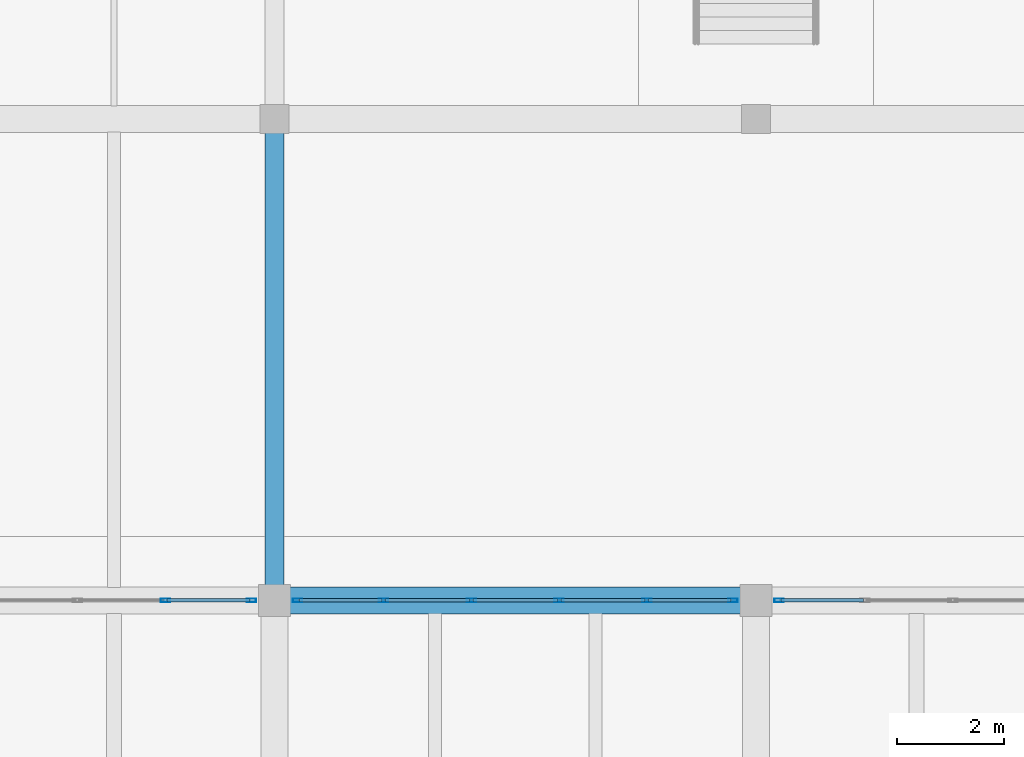
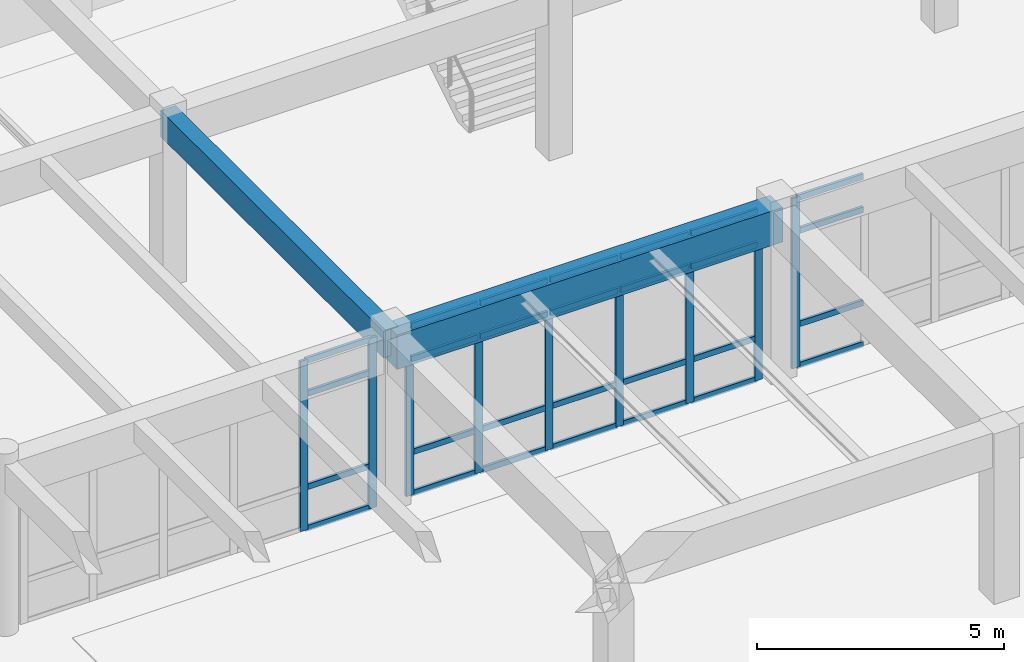
# One storey, part 83 of 186: 37 members, 2 beams, 3 elements without a shape of their own.
"""IFC4 building model written with IfcOpenShell, lengths in metres."""

from ifc_helpers import new_model, si_unit, direction, frame, origin, origin_2d, place, context, subcontext, project, spatial, rectangle, hollow_rectangle, extrude, material, layer, layer_set, material_profile, profile_set, type_object, element, aggregate, save


model = new_model("IFC4")

# Units and contexts
model_context = context("Model", 3, precision=1e-05, world=origin(), true_north=direction((0.0, 1.0)))
body_context = subcontext(model_context, "Body", "Model", "MODEL_VIEW")
ifc_project = project(units=[si_unit("LENGTHUNIT", "METRE"), si_unit("AREAUNIT", "SQUARE_METRE"), si_unit("VOLUMEUNIT", "CUBIC_METRE"), si_unit("PLANEANGLEUNIT", "RADIAN"), si_unit("MASSUNIT", "GRAM", prefix="KILO")], contexts=[model_context])

# Site, building, storey
site_placement = place(None, origin())
site = spatial("IfcSite", under=ifc_project, at=site_placement, CompositionType="ELEMENT")
building_placement = place(site_placement, origin())
building = spatial("IfcBuilding", under=site, at=building_placement, Name="Ornek Quay Market", CompositionType="ELEMENT")
storey_placement = place(building_placement, origin())
storey = spatial("IfcBuildingStorey", under=building, at=storey_placement, Name="L00", CompositionType="ELEMENT", Elevation=0.0)

# Beams
ifc_material_1 = material(Name="Concrete C35/45", Category="concrete")
ifc_material_profile_1 = material_profile(ifc_material_1, rectangle(XDim=0.35009765625, YDim=0.64990234375, at=origin_2d()), Name="RC 350x650", Category="concrete")
ifc_profile_set_1 = profile_set([ifc_material_profile_1], Name="Concrete C35/45")
beam_type_1 = type_object("IfcBeamType", Name="BM-CONC-350x650", PredefinedType="BEAM", material=ifc_profile_set_1)
beam_1_placement = place(storey_placement, frame((81.0, 92.0, 3.9150390625), z_axis=(0.0, 1.0, 0.0), x_axis=(-1.0, 0.0, 0.0)))
element("IfcBeam", 1, at=beam_1_placement, inside=storey, type_object=beam_type_1, Name="Primary beam B-CN1-103", PredefinedType="BEAM", context=body_context, shape_type="SweptSolid", body=[
    extrude(rectangle(XDim=0.35009765625, YDim=0.64990234375, at=origin_2d()), origin(), (0.0, 0.0, 1.0), 9.0),
])
ifc_material_2 = material(Name="Concrete C40/50", Category="concrete")
ifc_material_profile_2 = material_profile(ifc_material_2, rectangle(XDim=0.5, YDim=0.85009765625, at=origin_2d()), Name="RC 500x850", Category="concrete")
ifc_profile_set_2 = profile_set([ifc_material_profile_2], Name="Concrete C40/50")
beam_type_2 = type_object("IfcBeamType", Name="BM-GAL-500x850", PredefinedType="BEAM", material=ifc_profile_set_2)
beam_2_placement = place(storey_placement, frame((81.0, 92.0, 3.81494140625), z_axis=(1.0, 0.0, 0.0), x_axis=(0.0, 1.0, 0.0)))
element("IfcBeam", 2, at=beam_2_placement, inside=storey, type_object=beam_type_2, Name="Primary beam B-GL1-052", PredefinedType="BEAM", context=body_context, shape_type="SweptSolid", body=[
    extrude(rectangle(XDim=0.5, YDim=0.85009765625, at=origin_2d()), origin(), (0.0, 0.0, 1.0), 9.0),
])

# Curtain wall, members
ifc_material_3 = material(Name="Anodised bronze aluminium and triple low-e glass", Category="aluminium")
ifc_layer = layer(ifc_material_3, 0.139892578125, Name="Anodised bronze aluminium and triple low-e glass", Category="aluminium")
ifc_layer_set = layer_set([ifc_layer], Name="Anodised bronze aluminium and triple low-e glass")
curtain_wall_type = type_object("IfcCurtainWallType", Name="CW-GALLERY-INT", PredefinedType="USERDEFINED", material=ifc_layer_set)
curtain_wall_1_placement = place(storey_placement, origin())
curtain_wall_1 = element("IfcCurtainWall", 3, at=curtain_wall_1_placement, inside=storey, type_object=curtain_wall_type, Name="Curtain wall CW-122", ObjectType="CURTAIN WALL", PredefinedType="USERDEFINED")
ifc_material_4 = material(Name="Anodised aluminium 6063-T6", Category="aluminium")
ifc_material_profile_3 = material_profile(ifc_material_4, hollow_rectangle(XDim=0.06494140625, YDim=0.179931640625, WallThickness=0.00439453125, at=origin_2d()), Name="CW-MUL-65x180", Category="aluminium")
ifc_profile_set_3 = profile_set([ifc_material_profile_3], Name="Anodised aluminium 6063-T6")
member_type_1 = type_object("IfcMemberType", Name="CW-MUL-65x180", PredefinedType="MULLION", material=ifc_profile_set_3)
member_1_placement = place(storey_placement, frame((78.9599609375, 92.0, 0.0), z_axis=(0.0, 0.0, 1.0), x_axis=(0.0, 1.0, 0.0)))
member_1 = element("IfcMember", 4, at=member_1_placement, type_object=member_type_1, Name="CW-122 mullion 5", PredefinedType="MULLION", context=body_context, shape_type="SweptSolid", body=[
    extrude(hollow_rectangle(XDim=0.06494140625, YDim=0.179931640625, WallThickness=0.00439453125, at=origin_2d()), origin(), (0.0, 0.0, 1.0), 4.199951171875),
])
member_2_placement = place(storey_placement, frame((80.5673828125, 92.0, 0.0), z_axis=(0.0, 0.0, 1.0), x_axis=(0.0, 1.0, 0.0)))
member_2 = element("IfcMember", 5, at=member_2_placement, type_object=member_type_1, Name="CW-122 mullion 6", PredefinedType="MULLION", context=body_context, shape_type="SweptSolid", body=[
    extrude(hollow_rectangle(XDim=0.06494140625, YDim=0.179931640625, WallThickness=0.00439453125, at=origin_2d()), origin(), (0.0, 0.0, 1.0), 4.199951171875),
])

curtain_wall_2_placement = place(storey_placement, origin())
curtain_wall_2 = element("IfcCurtainWall", 6, at=curtain_wall_2_placement, inside=storey, type_object=curtain_wall_type, Name="Curtain wall CW-123", ObjectType="CURTAIN WALL", PredefinedType="USERDEFINED")
member_3_placement = place(storey_placement, frame((81.4326171875, 92.0, 0.0), z_axis=(0.0, 0.0, 1.0), x_axis=(0.0, 1.0, 0.0)))
member_3 = element("IfcMember", 7, at=member_3_placement, type_object=member_type_1, Name="CW-123 mullion 1", PredefinedType="MULLION", context=body_context, shape_type="SweptSolid", body=[
    extrude(hollow_rectangle(XDim=0.06494140625, YDim=0.179931640625, WallThickness=0.00439453125, at=origin_2d()), origin(), (0.0, 0.0, 1.0), 4.199951171875),
])
member_4_placement = place(storey_placement, frame((83.0400390625, 92.0, 0.0), z_axis=(0.0, 0.0, 1.0), x_axis=(0.0, 1.0, 0.0)))
member_4 = element("IfcMember", 8, at=member_4_placement, type_object=member_type_1, Name="CW-123 mullion 2", PredefinedType="MULLION", context=body_context, shape_type="SweptSolid", body=[
    extrude(hollow_rectangle(XDim=0.06494140625, YDim=0.179931640625, WallThickness=0.00439453125, at=origin_2d()), origin(), (0.0, 0.0, 1.0), 4.199951171875),
])
member_5_placement = place(storey_placement, frame((84.679931640625, 92.0, 0.0), z_axis=(0.0, 0.0, 1.0), x_axis=(0.0, 1.0, 0.0)))
member_5 = element("IfcMember", 9, at=member_5_placement, type_object=member_type_1, Name="CW-123 mullion 3", PredefinedType="MULLION", context=body_context, shape_type="SweptSolid", body=[
    extrude(hollow_rectangle(XDim=0.06494140625, YDim=0.179931640625, WallThickness=0.00439453125, at=origin_2d()), origin(), (0.0, 0.0, 1.0), 4.199951171875),
])
member_6_placement = place(storey_placement, frame((86.320068359375, 92.0, 0.0), z_axis=(0.0, 0.0, 1.0), x_axis=(0.0, 1.0, 0.0)))
member_6 = element("IfcMember", 10, at=member_6_placement, type_object=member_type_1, Name="CW-123 mullion 4", PredefinedType="MULLION", context=body_context, shape_type="SweptSolid", body=[
    extrude(hollow_rectangle(XDim=0.06494140625, YDim=0.179931640625, WallThickness=0.00439453125, at=origin_2d()), origin(), (0.0, 0.0, 1.0), 4.199951171875),
])
member_7_placement = place(storey_placement, frame((87.9599609375, 92.0, 0.0), z_axis=(0.0, 0.0, 1.0), x_axis=(0.0, 1.0, 0.0)))
member_7 = element("IfcMember", 11, at=member_7_placement, type_object=member_type_1, Name="CW-123 mullion 5", PredefinedType="MULLION", context=body_context, shape_type="SweptSolid", body=[
    extrude(hollow_rectangle(XDim=0.06494140625, YDim=0.179931640625, WallThickness=0.00439453125, at=origin_2d()), origin(), (0.0, 0.0, 1.0), 4.199951171875),
])
member_8_placement = place(storey_placement, frame((89.5673828125, 92.0, 0.0), z_axis=(0.0, 0.0, 1.0), x_axis=(0.0, 1.0, 0.0)))
member_8 = element("IfcMember", 12, at=member_8_placement, type_object=member_type_1, Name="CW-123 mullion 6", PredefinedType="MULLION", context=body_context, shape_type="SweptSolid", body=[
    extrude(hollow_rectangle(XDim=0.06494140625, YDim=0.179931640625, WallThickness=0.00439453125, at=origin_2d()), origin(), (0.0, 0.0, 1.0), 4.199951171875),
])

# Curtain wall, member
curtain_wall_3_placement = place(storey_placement, origin())
curtain_wall_3 = element("IfcCurtainWall", 13, at=curtain_wall_3_placement, inside=storey, type_object=curtain_wall_type, Name="Curtain wall CW-124", ObjectType="CURTAIN WALL", PredefinedType="USERDEFINED")
member_9_placement = place(storey_placement, frame((90.4326171875, 92.0, 0.0), z_axis=(0.0, 0.0, 1.0), x_axis=(0.0, 1.0, 0.0)))
member_9 = element("IfcMember", 14, at=member_9_placement, type_object=member_type_1, Name="CW-124 mullion 1", PredefinedType="MULLION", context=body_context, shape_type="SweptSolid", body=[
    extrude(hollow_rectangle(XDim=0.06494140625, YDim=0.179931640625, WallThickness=0.00439453125, at=origin_2d()), origin(), (0.0, 0.0, 1.0), 4.199951171875),
])

# Member
ifc_material_profile_4 = material_profile(ifc_material_4, hollow_rectangle(XDim=0.06494140625, YDim=0.139892578125, WallThickness=0.00439453125, at=origin_2d()), Name="CW-TRN-65x140", Category="aluminium")
ifc_profile_set_4 = profile_set([ifc_material_profile_4], Name="Anodised aluminium 6063-T6")
member_type_2 = type_object("IfcMemberType", Name="CW-TRN-65x140", PredefinedType="USERDEFINED", material=ifc_profile_set_4)
member_10_placement = place(storey_placement, frame((78.992431640625, 92.0, 0.032470703125), z_axis=(1.0, 0.0, 0.0), x_axis=(0.0, 1.0, 0.0)))
member_10 = element("IfcMember", 15, at=member_10_placement, type_object=member_type_2, Name="CW-122 transom 5.1", ObjectType="TRANSOM", PredefinedType="USERDEFINED", context=body_context, shape_type="SweptSolid", body=[
    extrude(hollow_rectangle(XDim=0.06494140625, YDim=0.139892578125, WallThickness=0.00439453125, at=origin_2d()), origin(), (0.0, 0.0, 1.0), 1.54248046875),
])

member_11_placement = place(storey_placement, frame((78.992431640625, 92.0, 1.050048828125), z_axis=(1.0, 0.0, 0.0), x_axis=(0.0, 1.0, 0.0)))
member_11 = element("IfcMember", 16, at=member_11_placement, type_object=member_type_2, Name="CW-122 transom 5.2", ObjectType="TRANSOM", PredefinedType="USERDEFINED", context=body_context, shape_type="SweptSolid", body=[
    extrude(hollow_rectangle(XDim=0.06494140625, YDim=0.139892578125, WallThickness=0.00439453125, at=origin_2d()), origin(), (0.0, 0.0, 1.0), 1.54248046875),
])

member_12_placement = place(storey_placement, frame((78.992431640625, 92.0, 3.35009765625), z_axis=(1.0, 0.0, 0.0), x_axis=(0.0, 1.0, 0.0)))
member_12 = element("IfcMember", 17, at=member_12_placement, type_object=member_type_2, Name="CW-122 transom 5.3", ObjectType="TRANSOM", PredefinedType="USERDEFINED", context=body_context, shape_type="SweptSolid", body=[
    extrude(hollow_rectangle(XDim=0.06494140625, YDim=0.139892578125, WallThickness=0.00439453125, at=origin_2d()), origin(), (0.0, 0.0, 1.0), 1.54248046875),
])

member_13_placement = place(storey_placement, frame((78.992431640625, 92.0, 4.16748046875), z_axis=(1.0, 0.0, 0.0), x_axis=(0.0, 1.0, 0.0)))
member_13 = element("IfcMember", 18, at=member_13_placement, type_object=member_type_2, Name="CW-122 transom 5.4", ObjectType="TRANSOM", PredefinedType="USERDEFINED", context=body_context, shape_type="SweptSolid", body=[
    extrude(hollow_rectangle(XDim=0.06494140625, YDim=0.139892578125, WallThickness=0.00439453125, at=origin_2d()), origin(), (0.0, 0.0, 1.0), 1.54248046875),
])

aggregate(curtain_wall_1, [member_1, member_2, member_10, member_11, member_12, member_13])

member_14_placement = place(storey_placement, frame((81.465087890625, 92.0, 0.032470703125), z_axis=(1.0, 0.0, 0.0), x_axis=(0.0, 1.0, 0.0)))
member_14 = element("IfcMember", 19, at=member_14_placement, type_object=member_type_2, Name="CW-123 transom 1.1", ObjectType="TRANSOM", PredefinedType="USERDEFINED", context=body_context, shape_type="SweptSolid", body=[
    extrude(hollow_rectangle(XDim=0.06494140625, YDim=0.139892578125, WallThickness=0.00439453125, at=origin_2d()), origin(), (0.0, 0.0, 1.0), 1.54248046875),
])

member_15_placement = place(storey_placement, frame((81.465087890625, 92.0, 1.050048828125), z_axis=(1.0, 0.0, 0.0), x_axis=(0.0, 1.0, 0.0)))
member_15 = element("IfcMember", 20, at=member_15_placement, type_object=member_type_2, Name="CW-123 transom 1.2", ObjectType="TRANSOM", PredefinedType="USERDEFINED", context=body_context, shape_type="SweptSolid", body=[
    extrude(hollow_rectangle(XDim=0.06494140625, YDim=0.139892578125, WallThickness=0.00439453125, at=origin_2d()), origin(), (0.0, 0.0, 1.0), 1.54248046875),
])

member_16_placement = place(storey_placement, frame((81.465087890625, 92.0, 3.35009765625), z_axis=(1.0, 0.0, 0.0), x_axis=(0.0, 1.0, 0.0)))
member_16 = element("IfcMember", 21, at=member_16_placement, type_object=member_type_2, Name="CW-123 transom 1.3", ObjectType="TRANSOM", PredefinedType="USERDEFINED", context=body_context, shape_type="SweptSolid", body=[
    extrude(hollow_rectangle(XDim=0.06494140625, YDim=0.139892578125, WallThickness=0.00439453125, at=origin_2d()), origin(), (0.0, 0.0, 1.0), 1.54248046875),
])

member_17_placement = place(storey_placement, frame((81.465087890625, 92.0, 4.16748046875), z_axis=(1.0, 0.0, 0.0), x_axis=(0.0, 1.0, 0.0)))
member_17 = element("IfcMember", 22, at=member_17_placement, type_object=member_type_2, Name="CW-123 transom 1.4", ObjectType="TRANSOM", PredefinedType="USERDEFINED", context=body_context, shape_type="SweptSolid", body=[
    extrude(hollow_rectangle(XDim=0.06494140625, YDim=0.139892578125, WallThickness=0.00439453125, at=origin_2d()), origin(), (0.0, 0.0, 1.0), 1.54248046875),
])

member_18_placement = place(storey_placement, frame((83.072509765625, 92.0, 0.032470703125), z_axis=(1.0, 0.0, 0.0), x_axis=(0.0, 1.0, 0.0)))
member_18 = element("IfcMember", 23, at=member_18_placement, type_object=member_type_2, Name="CW-123 transom 2.1", ObjectType="TRANSOM", PredefinedType="USERDEFINED", context=body_context, shape_type="SweptSolid", body=[
    extrude(hollow_rectangle(XDim=0.06494140625, YDim=0.139892578125, WallThickness=0.00439453125, at=origin_2d()), origin(), (0.0, 0.0, 1.0), 1.574951171875),
])

member_19_placement = place(storey_placement, frame((83.072509765625, 92.0, 1.050048828125), z_axis=(1.0, 0.0, 0.0), x_axis=(0.0, 1.0, 0.0)))
member_19 = element("IfcMember", 24, at=member_19_placement, type_object=member_type_2, Name="CW-123 transom 2.2", ObjectType="TRANSOM", PredefinedType="USERDEFINED", context=body_context, shape_type="SweptSolid", body=[
    extrude(hollow_rectangle(XDim=0.06494140625, YDim=0.139892578125, WallThickness=0.00439453125, at=origin_2d()), origin(), (0.0, 0.0, 1.0), 1.574951171875),
])

member_20_placement = place(storey_placement, frame((83.072509765625, 92.0, 3.35009765625), z_axis=(1.0, 0.0, 0.0), x_axis=(0.0, 1.0, 0.0)))
member_20 = element("IfcMember", 25, at=member_20_placement, type_object=member_type_2, Name="CW-123 transom 2.3", ObjectType="TRANSOM", PredefinedType="USERDEFINED", context=body_context, shape_type="SweptSolid", body=[
    extrude(hollow_rectangle(XDim=0.06494140625, YDim=0.139892578125, WallThickness=0.00439453125, at=origin_2d()), origin(), (0.0, 0.0, 1.0), 1.574951171875),
])

member_21_placement = place(storey_placement, frame((83.072509765625, 92.0, 4.16748046875), z_axis=(1.0, 0.0, 0.0), x_axis=(0.0, 1.0, 0.0)))
member_21 = element("IfcMember", 26, at=member_21_placement, type_object=member_type_2, Name="CW-123 transom 2.4", ObjectType="TRANSOM", PredefinedType="USERDEFINED", context=body_context, shape_type="SweptSolid", body=[
    extrude(hollow_rectangle(XDim=0.06494140625, YDim=0.139892578125, WallThickness=0.00439453125, at=origin_2d()), origin(), (0.0, 0.0, 1.0), 1.574951171875),
])

member_22_placement = place(storey_placement, frame((84.71240234375, 92.0, 0.032470703125), z_axis=(1.0, 0.0, 0.0), x_axis=(0.0, 1.0, 0.0)))
member_22 = element("IfcMember", 27, at=member_22_placement, type_object=member_type_2, Name="CW-123 transom 3.1", ObjectType="TRANSOM", PredefinedType="USERDEFINED", context=body_context, shape_type="SweptSolid", body=[
    extrude(hollow_rectangle(XDim=0.06494140625, YDim=0.139892578125, WallThickness=0.00439453125, at=origin_2d()), origin(), (0.0, 0.0, 1.0), 1.5751953125),
])

member_23_placement = place(storey_placement, frame((84.71240234375, 92.0, 1.050048828125), z_axis=(1.0, 0.0, 0.0), x_axis=(0.0, 1.0, 0.0)))
member_23 = element("IfcMember", 28, at=member_23_placement, type_object=member_type_2, Name="CW-123 transom 3.2", ObjectType="TRANSOM", PredefinedType="USERDEFINED", context=body_context, shape_type="SweptSolid", body=[
    extrude(hollow_rectangle(XDim=0.06494140625, YDim=0.139892578125, WallThickness=0.00439453125, at=origin_2d()), origin(), (0.0, 0.0, 1.0), 1.5751953125),
])

member_24_placement = place(storey_placement, frame((84.71240234375, 92.0, 3.35009765625), z_axis=(1.0, 0.0, 0.0), x_axis=(0.0, 1.0, 0.0)))
member_24 = element("IfcMember", 29, at=member_24_placement, type_object=member_type_2, Name="CW-123 transom 3.3", ObjectType="TRANSOM", PredefinedType="USERDEFINED", context=body_context, shape_type="SweptSolid", body=[
    extrude(hollow_rectangle(XDim=0.06494140625, YDim=0.139892578125, WallThickness=0.00439453125, at=origin_2d()), origin(), (0.0, 0.0, 1.0), 1.5751953125),
])

member_25_placement = place(storey_placement, frame((84.71240234375, 92.0, 4.16748046875), z_axis=(1.0, 0.0, 0.0), x_axis=(0.0, 1.0, 0.0)))
member_25 = element("IfcMember", 30, at=member_25_placement, type_object=member_type_2, Name="CW-123 transom 3.4", ObjectType="TRANSOM", PredefinedType="USERDEFINED", context=body_context, shape_type="SweptSolid", body=[
    extrude(hollow_rectangle(XDim=0.06494140625, YDim=0.139892578125, WallThickness=0.00439453125, at=origin_2d()), origin(), (0.0, 0.0, 1.0), 1.5751953125),
])

member_26_placement = place(storey_placement, frame((86.3525390625, 92.0, 0.032470703125), z_axis=(1.0, 0.0, 0.0), x_axis=(0.0, 1.0, 0.0)))
member_26 = element("IfcMember", 31, at=member_26_placement, type_object=member_type_2, Name="CW-123 transom 4.1", ObjectType="TRANSOM", PredefinedType="USERDEFINED", context=body_context, shape_type="SweptSolid", body=[
    extrude(hollow_rectangle(XDim=0.06494140625, YDim=0.139892578125, WallThickness=0.00439453125, at=origin_2d()), origin(), (0.0, 0.0, 1.0), 1.574951171875),
])

member_27_placement = place(storey_placement, frame((86.3525390625, 92.0, 1.050048828125), z_axis=(1.0, 0.0, 0.0), x_axis=(0.0, 1.0, 0.0)))
member_27 = element("IfcMember", 32, at=member_27_placement, type_object=member_type_2, Name="CW-123 transom 4.2", ObjectType="TRANSOM", PredefinedType="USERDEFINED", context=body_context, shape_type="SweptSolid", body=[
    extrude(hollow_rectangle(XDim=0.06494140625, YDim=0.139892578125, WallThickness=0.00439453125, at=origin_2d()), origin(), (0.0, 0.0, 1.0), 1.574951171875),
])

member_28_placement = place(storey_placement, frame((86.3525390625, 92.0, 3.35009765625), z_axis=(1.0, 0.0, 0.0), x_axis=(0.0, 1.0, 0.0)))
member_28 = element("IfcMember", 33, at=member_28_placement, type_object=member_type_2, Name="CW-123 transom 4.3", ObjectType="TRANSOM", PredefinedType="USERDEFINED", context=body_context, shape_type="SweptSolid", body=[
    extrude(hollow_rectangle(XDim=0.06494140625, YDim=0.139892578125, WallThickness=0.00439453125, at=origin_2d()), origin(), (0.0, 0.0, 1.0), 1.574951171875),
])

member_29_placement = place(storey_placement, frame((86.3525390625, 92.0, 4.16748046875), z_axis=(1.0, 0.0, 0.0), x_axis=(0.0, 1.0, 0.0)))
member_29 = element("IfcMember", 34, at=member_29_placement, type_object=member_type_2, Name="CW-123 transom 4.4", ObjectType="TRANSOM", PredefinedType="USERDEFINED", context=body_context, shape_type="SweptSolid", body=[
    extrude(hollow_rectangle(XDim=0.06494140625, YDim=0.139892578125, WallThickness=0.00439453125, at=origin_2d()), origin(), (0.0, 0.0, 1.0), 1.574951171875),
])

member_30_placement = place(storey_placement, frame((87.992431640625, 92.0, 0.032470703125), z_axis=(1.0, 0.0, 0.0), x_axis=(0.0, 1.0, 0.0)))
member_30 = element("IfcMember", 35, at=member_30_placement, type_object=member_type_2, Name="CW-123 transom 5.1", ObjectType="TRANSOM", PredefinedType="USERDEFINED", context=body_context, shape_type="SweptSolid", body=[
    extrude(hollow_rectangle(XDim=0.06494140625, YDim=0.139892578125, WallThickness=0.00439453125, at=origin_2d()), origin(), (0.0, 0.0, 1.0), 1.54248046875),
])

member_31_placement = place(storey_placement, frame((87.992431640625, 92.0, 1.050048828125), z_axis=(1.0, 0.0, 0.0), x_axis=(0.0, 1.0, 0.0)))
member_31 = element("IfcMember", 36, at=member_31_placement, type_object=member_type_2, Name="CW-123 transom 5.2", ObjectType="TRANSOM", PredefinedType="USERDEFINED", context=body_context, shape_type="SweptSolid", body=[
    extrude(hollow_rectangle(XDim=0.06494140625, YDim=0.139892578125, WallThickness=0.00439453125, at=origin_2d()), origin(), (0.0, 0.0, 1.0), 1.54248046875),
])

member_32_placement = place(storey_placement, frame((87.992431640625, 92.0, 3.35009765625), z_axis=(1.0, 0.0, 0.0), x_axis=(0.0, 1.0, 0.0)))
member_32 = element("IfcMember", 37, at=member_32_placement, type_object=member_type_2, Name="CW-123 transom 5.3", ObjectType="TRANSOM", PredefinedType="USERDEFINED", context=body_context, shape_type="SweptSolid", body=[
    extrude(hollow_rectangle(XDim=0.06494140625, YDim=0.139892578125, WallThickness=0.00439453125, at=origin_2d()), origin(), (0.0, 0.0, 1.0), 1.54248046875),
])

member_33_placement = place(storey_placement, frame((87.992431640625, 92.0, 4.16748046875), z_axis=(1.0, 0.0, 0.0), x_axis=(0.0, 1.0, 0.0)))
member_33 = element("IfcMember", 38, at=member_33_placement, type_object=member_type_2, Name="CW-123 transom 5.4", ObjectType="TRANSOM", PredefinedType="USERDEFINED", context=body_context, shape_type="SweptSolid", body=[
    extrude(hollow_rectangle(XDim=0.06494140625, YDim=0.139892578125, WallThickness=0.00439453125, at=origin_2d()), origin(), (0.0, 0.0, 1.0), 1.54248046875),
])

aggregate(curtain_wall_2, [member_3, member_4, member_5, member_6, member_7, member_8, member_14, member_15, member_16, member_17, member_18, member_19, member_20, member_21, member_22, member_23, member_24, member_25, member_26, member_27, member_28, member_29, member_30, member_31, member_32, member_33])

member_34_placement = place(storey_placement, frame((90.465087890625, 92.0, 0.032470703125), z_axis=(1.0, 0.0, 0.0), x_axis=(0.0, 1.0, 0.0)))
member_34 = element("IfcMember", 39, at=member_34_placement, type_object=member_type_2, Name="CW-124 transom 1.1", ObjectType="TRANSOM", PredefinedType="USERDEFINED", context=body_context, shape_type="SweptSolid", body=[
    extrude(hollow_rectangle(XDim=0.06494140625, YDim=0.139892578125, WallThickness=0.00439453125, at=origin_2d()), origin(), (0.0, 0.0, 1.0), 1.54248046875),
])

member_35_placement = place(storey_placement, frame((90.465087890625, 92.0, 1.050048828125), z_axis=(1.0, 0.0, 0.0), x_axis=(0.0, 1.0, 0.0)))
member_35 = element("IfcMember", 40, at=member_35_placement, type_object=member_type_2, Name="CW-124 transom 1.2", ObjectType="TRANSOM", PredefinedType="USERDEFINED", context=body_context, shape_type="SweptSolid", body=[
    extrude(hollow_rectangle(XDim=0.06494140625, YDim=0.139892578125, WallThickness=0.00439453125, at=origin_2d()), origin(), (0.0, 0.0, 1.0), 1.54248046875),
])

member_36_placement = place(storey_placement, frame((90.465087890625, 92.0, 3.35009765625), z_axis=(1.0, 0.0, 0.0), x_axis=(0.0, 1.0, 0.0)))
member_36 = element("IfcMember", 41, at=member_36_placement, type_object=member_type_2, Name="CW-124 transom 1.3", ObjectType="TRANSOM", PredefinedType="USERDEFINED", context=body_context, shape_type="SweptSolid", body=[
    extrude(hollow_rectangle(XDim=0.06494140625, YDim=0.139892578125, WallThickness=0.00439453125, at=origin_2d()), origin(), (0.0, 0.0, 1.0), 1.54248046875),
])

member_37_placement = place(storey_placement, frame((90.465087890625, 92.0, 4.16748046875), z_axis=(1.0, 0.0, 0.0), x_axis=(0.0, 1.0, 0.0)))
member_37 = element("IfcMember", 42, at=member_37_placement, type_object=member_type_2, Name="CW-124 transom 1.4", ObjectType="TRANSOM", PredefinedType="USERDEFINED", context=body_context, shape_type="SweptSolid", body=[
    extrude(hollow_rectangle(XDim=0.06494140625, YDim=0.139892578125, WallThickness=0.00439453125, at=origin_2d()), origin(), (0.0, 0.0, 1.0), 1.54248046875),
])

aggregate(curtain_wall_3, [member_9, member_34, member_35, member_36, member_37])

save(model, "model.ifc")
